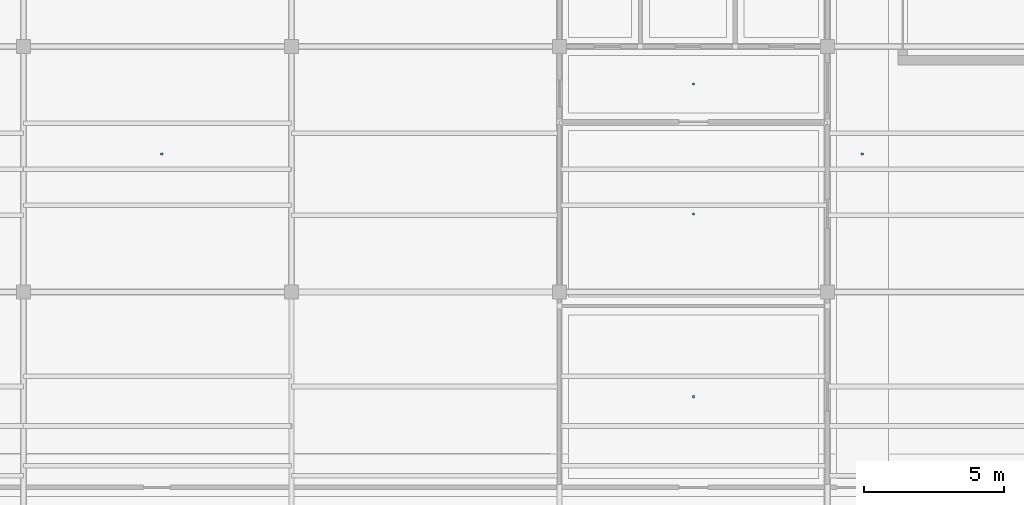
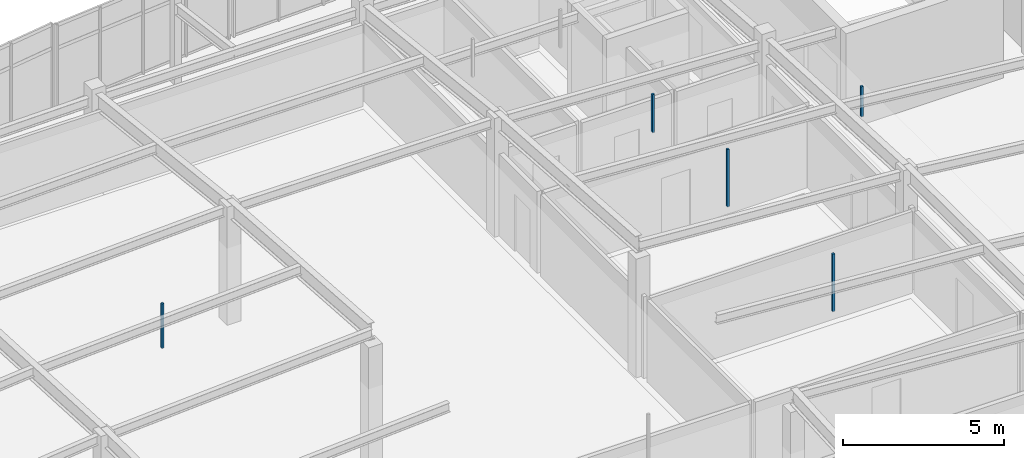
# One storey, part 63 of 65: 5 discrete accessories.
"""IFC4 building model written with IfcOpenShell, lengths in metres."""

from ifc_helpers import new_model, si_unit, direction, frame, origin, origin_2d, place, context, subcontext, project, spatial, rectangle, extrude, material, type_object, element, save


model = new_model("IFC4")

# Units and contexts
model_context = context("Model", 3, precision=1e-05, world=origin(), true_north=direction((0.0, 1.0)))
body_context = subcontext(model_context, "Body", "Model", "MODEL_VIEW")
ifc_project = project(units=[si_unit("LENGTHUNIT", "METRE"), si_unit("AREAUNIT", "SQUARE_METRE"), si_unit("VOLUMEUNIT", "CUBIC_METRE"), si_unit("PLANEANGLEUNIT", "RADIAN"), si_unit("MASSUNIT", "GRAM", prefix="KILO")], contexts=[model_context])

# Site, building, storey
site_placement = place(None, origin())
site = spatial("IfcSite", under=ifc_project, at=site_placement, CompositionType="ELEMENT")
building_placement = place(site_placement, origin())
building = spatial("IfcBuilding", under=site, at=building_placement, Name="Chalmorin Arch Market", CompositionType="ELEMENT")
storey_placement = place(building_placement, frame((0.0, 0.0, 14.10009765625)))
storey = spatial("IfcBuildingStorey", under=building, at=storey_placement, Name="L03", CompositionType="ELEMENT", Elevation=14.10009765625)

# Discrete accessories
ifc_material = material(Name="Galvanized Cold-Formed Steel", Category="steel")
discrete_accessory_type = type_object("IfcDiscreteAccessoryType", Name="CeilingSuspensionBracket-80x80", PredefinedType="BRACKET", material=ifc_material)
discrete_accessory_1_placement = place(storey_placement, frame((87.64990234375, 105.75, 2.90283203125), z_axis=(0.0, 0.0, 1.0), x_axis=(1.0, 0.0, 0.0)))
element("IfcDiscreteAccessory", 1, at=discrete_accessory_1_placement, inside=storey, type_object=discrete_accessory_type, Name="CSB-261", PredefinedType="BRACKET", context=body_context, shape_type="SweptSolid", body=[
    extrude(rectangle(XDim=0.080078125, YDim=0.080078125, at=origin_2d()), origin(), (0.0, 0.0, 1.0), 1.139892578125),
])
discrete_accessory_2_placement = place(storey_placement, frame((62.550048828125, 105.75, 2.90283203125), z_axis=(0.0, 0.0, 1.0), x_axis=(1.0, 0.0, 0.0)))
element("IfcDiscreteAccessory", 2, at=discrete_accessory_2_placement, inside=storey, type_object=discrete_accessory_type, Name="CSB-263", PredefinedType="BRACKET", context=body_context, shape_type="SweptSolid", body=[
    extrude(rectangle(XDim=0.080078125, YDim=0.080078125, at=origin_2d()), origin(), (0.0, 0.0, 1.0), 1.68701171875),
])
discrete_accessory_3_placement = place(storey_placement, frame((81.60009765625, 103.60009765625, 2.90283203125), z_axis=(0.0, 0.0, 1.0), x_axis=(1.0, 0.0, 0.0)))
element("IfcDiscreteAccessory", 3, at=discrete_accessory_3_placement, inside=storey, type_object=discrete_accessory_type, Name="CSB-265", PredefinedType="BRACKET", context=body_context, shape_type="SweptSolid", body=[
    extrude(rectangle(XDim=0.080078125, YDim=0.080078125, at=origin_2d()), origin(), (0.0, 0.0, 1.0), 2.181884765625),
])
discrete_accessory_4_placement = place(storey_placement, frame((81.60009765625, 108.25, 2.90283203125), z_axis=(0.0, 0.0, 1.0), x_axis=(1.0, 0.0, 0.0)))
element("IfcDiscreteAccessory", 4, at=discrete_accessory_4_placement, inside=storey, type_object=discrete_accessory_type, Name="CSB-267", PredefinedType="BRACKET", context=body_context, shape_type="SweptSolid", body=[
    extrude(rectangle(XDim=0.080078125, YDim=0.080078125, at=origin_2d()), origin(), (0.0, 0.0, 1.0), 1.443115234375),
])
discrete_accessory_5_placement = place(storey_placement, frame((81.60009765625, 97.050048828125, 2.90283203125), z_axis=(0.0, 0.0, 1.0), x_axis=(1.0, 0.0, 0.0)))
element("IfcDiscreteAccessory", 5, at=discrete_accessory_5_placement, inside=storey, type_object=discrete_accessory_type, Name="CSB-275", PredefinedType="BRACKET", context=body_context, shape_type="SweptSolid", body=[
    extrude(rectangle(XDim=0.080078125, YDim=0.080078125, at=origin_2d()), origin(), (0.0, 0.0, 1.0), 2.181884765625),
])

save(model, "model.ifc")
